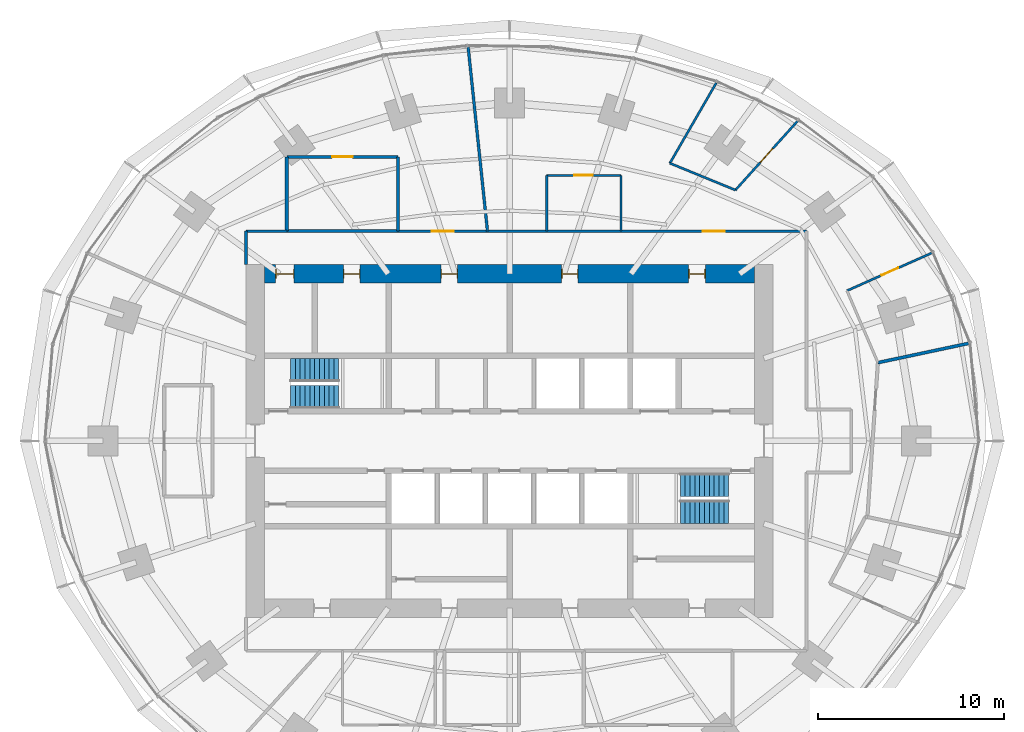
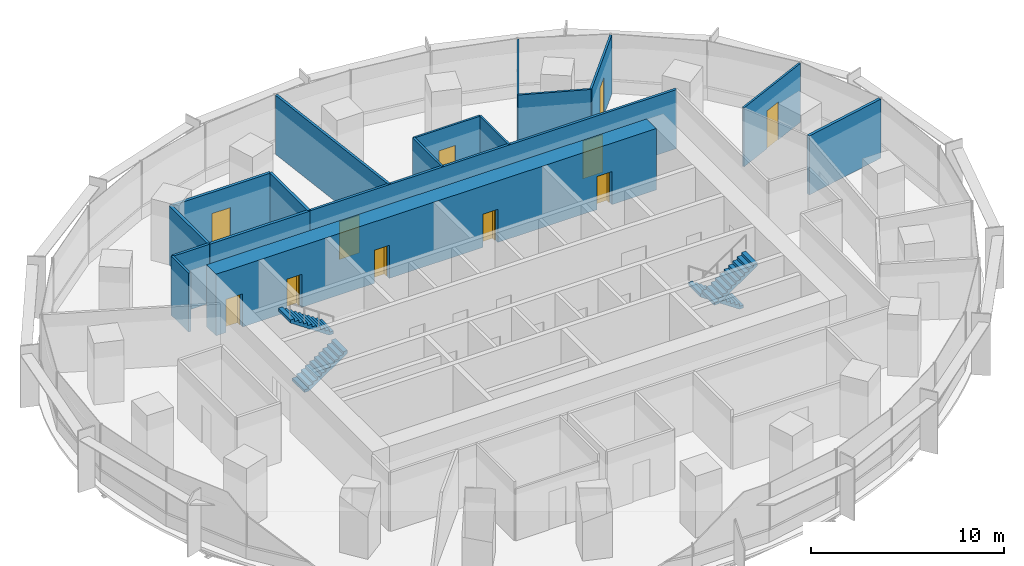
# One storey, part 12 of 14: 17 walls, 11 doors, 4 stair flights, 11 openings, 2 elements without a shape of their own.
"""IFC4 building model written with IfcOpenShell, lengths in metres."""

from ifc_helpers import new_model, si_unit, direction, frame, frame_2d, origin, place, context, subcontext, project, spatial, polyline, rectangle, outline, extrude, material, layer, layer_set, type_object, element, fill, aggregate, save


model = new_model("IFC4")

# Units and contexts
model_context = context("Model", 3, precision=1e-05, world=origin(), true_north=direction((0.0, 1.0)))
body_context = subcontext(model_context, "Body", "Model", "MODEL_VIEW")
ifc_project = project(units=[si_unit("LENGTHUNIT", "METRE"), si_unit("AREAUNIT", "SQUARE_METRE"), si_unit("VOLUMEUNIT", "CUBIC_METRE"), si_unit("PLANEANGLEUNIT", "RADIAN"), si_unit("MASSUNIT", "GRAM", prefix="KILO")], contexts=[model_context])

# Site, building, storey
site_placement = place(None, origin())
site = spatial("IfcSite", under=ifc_project, at=site_placement, CompositionType="ELEMENT")
building_placement = place(site_placement, origin())
building = spatial("IfcBuilding", under=site, at=building_placement, Name="Marramba Exchange Tower", CompositionType="ELEMENT")
storey_placement = place(building_placement, frame((0.0, 0.0, 131.39990234375)))
storey = spatial("IfcBuildingStorey", under=building, at=storey_placement, Name="L31", CompositionType="ELEMENT", Elevation=131.39990234375)

# Walls
ifc_material_1 = material(Name="Plasterboard on staggered double steel studs, acoustic insulation", Category="steel")
ifc_layer_1 = layer(ifc_material_1, 0.169921875)
ifc_layer_set_1 = layer_set([ifc_layer_1], Name="Acoustic partition 170")
wall_type_1 = type_object("IfcWallType", Name="Acoustic partition 170", PredefinedType="PARTITIONING", material=ifc_layer_set_1)
wall_1_placement = place(storey_placement, frame((24.73046875, 5.256591796875, 0.0), z_axis=(0.0, 0.0, 1.0), x_axis=(-0.978149046495, -0.207904888932, 0.0)))
element("IfcWall", 1, at=wall_1_placement, inside=storey, type_object=wall_type_1, Name="Acoustic partition L31 27", PredefinedType="PARTITIONING", context=body_context, shape_type="SweptSolid", body=[
    extrude(rectangle(XDim=5.000244140625, YDim=0.169921875, at=frame_2d((2.5, 0.0))), origin(), (0.0, 0.0, 1.0), 3.739990234375),
])
wall_2_placement = place(storey_placement, frame((-6.0, 11.300048828125, 0.0), z_axis=(0.0, 0.0, 1.0), x_axis=(0.0, 1.0, 0.0)))
element("IfcWall", 2, at=wall_2_placement, inside=storey, type_object=wall_type_1, Name="Acoustic partition L31 39", PredefinedType="PARTITIONING", context=body_context, shape_type="SweptSolid", body=[
    extrude(rectangle(XDim=4.0, YDim=0.169921875, at=frame_2d((2.0, 0.0))), origin(), (0.0, 0.0, 1.0), 3.739990234375),
])

# Wall, opening, door
wall_3_placement = place(storey_placement, frame((-6.0, 15.300048828125, 0.0), z_axis=(0.0, 0.0, 1.0), x_axis=(-1.0, 0.0, 0.0)))
wall_3 = element("IfcWall", 3, at=wall_3_placement, inside=storey, type_object=wall_type_1, Name="Acoustic partition L31 40", PredefinedType="PARTITIONING", context=body_context, shape_type="SweptSolid", body=[
    extrude(rectangle(XDim=6.0, YDim=0.169921875, at=frame_2d((3.0, 0.0))), origin(), (0.0, 0.0, 1.0), 3.739990234375),
])
opening_1_placement = place(wall_3_placement, frame((2.449951171875, 0.0, 0.0)))
opening_1 = element("IfcOpeningElement", 4, at=opening_1_placement, cuts=wall_3, Name="Opening D15", PredefinedType="OPENING", context=body_context, shape_type="SweptSolid", body=[
    extrude(rectangle(XDim=1.10009765625, YDim=2.39990234375, at=frame_2d((0.550048828125, 1.199951171875))), frame((0.0, 0.094970703125, 0.0), z_axis=(0.0, -1.0, 0.0), x_axis=(1.0, 0.0, 0.0)), (0.0, 0.0, 1.0), 0.18994140625),
])
ifc_material_2 = material(Name="Timber door", Category="wood")
door_type_1 = type_object("IfcDoorType", Name="Glazed meeting room door 1100x2400", OperationType="SINGLE_SWING_LEFT", PredefinedType="DOOR", material=ifc_material_2)
door_1_placement = place(opening_1_placement, origin())
door_1 = element("IfcDoor", 5, at=door_1_placement, inside=storey, type_object=door_type_1, Name="D15 Meeting Room 4 L31", OperationType="SINGLE_SWING_RIGHT", OverallHeight=2.39990234375, OverallWidth=1.10009765625, PredefinedType="DOOR", context=body_context, shape_type="SweptSolid", body=[
    extrude(rectangle(XDim=1.10009765625, YDim=2.39990234375, at=frame_2d((0.550048828125, 1.199951171875))), frame((0.0, 0.02490234375, 0.0), z_axis=(0.0, -1.0, 0.0), x_axis=(1.0, 0.0, 0.0)), (0.0, 0.0, 1.0), 0.050048828125),
])
fill(opening_1, door_1)

# Walls
wall_4_placement = place(storey_placement, frame((-12.0, 11.300048828125, 0.0), z_axis=(0.0, 0.0, 1.0), x_axis=(1.0, 0.0, 0.0)))
element("IfcWall", 6, at=wall_4_placement, inside=storey, type_object=wall_type_1, Name="Acoustic partition L31 41", PredefinedType="PARTITIONING", context=body_context, shape_type="SweptSolid", body=[
    extrude(rectangle(XDim=6.0, YDim=0.169921875, at=frame_2d((3.0, 0.0))), origin(), (0.0, 0.0, 1.0), 3.739990234375),
])
wall_5_placement = place(storey_placement, frame((-12.0, 15.300048828125, 0.0), z_axis=(0.0, 0.0, 1.0), x_axis=(0.0, -1.0, 0.0)))
element("IfcWall", 7, at=wall_5_placement, inside=storey, type_object=wall_type_1, Name="Acoustic partition L31 42", PredefinedType="PARTITIONING", context=body_context, shape_type="SweptSolid", body=[
    extrude(rectangle(XDim=4.0, YDim=0.169921875, at=frame_2d((2.0, 0.0))), origin(), (0.0, 0.0, 1.0), 3.739990234375),
])

# Wall, openings, doors
ifc_material_3 = material(Name="Concrete N50", Category="concrete")
ifc_layer_2 = layer(ifc_material_3, 1.0)
ifc_layer_set_2 = layer_set([ifc_layer_2], Name="Core wall 1000")
wall_type_2 = type_object("IfcWallType", Name="Core wall 1000", PredefinedType="SHEAR", material=ifc_layer_set_2)
wall_6_placement = place(storey_placement, frame((13.199951171875, 9.0, 0.0), z_axis=(0.0, 0.0, 1.0), x_axis=(-1.0, 0.0, 0.0)))
wall_6 = element("IfcWall", 8, at=wall_6_placement, inside=storey, type_object=wall_type_2, Name="Core wall N L31", PredefinedType="SHEAR", context=body_context, shape_type="SweptSolid", body=[
    extrude(rectangle(XDim=26.39990234375, YDim=1.0, at=frame_2d((13.199951171875, 0.0))), origin(), (0.0, 0.0, 1.0), 3.900146484375),
])
opening_2_placement = place(wall_6_placement, frame((2.64990234375, 0.0, 0.0)))
opening_2 = element("IfcOpeningElement", 9, at=opening_2_placement, cuts=wall_6, Name="Opening D5", PredefinedType="OPENING", context=body_context, shape_type="SweptSolid", body=[
    extrude(rectangle(XDim=0.89990234375, YDim=2.10009765625, at=frame_2d((0.449951171875, 1.050048828125))), frame((0.0, 0.510009765625, 0.0), z_axis=(0.0, -1.0, 0.0), x_axis=(1.0, 0.0, 0.0)), (0.0, 0.0, 1.0), 1.02001953125),
])
opening_3_placement = place(wall_6_placement, frame((9.5, 0.0, 0.0)))
opening_3 = element("IfcOpeningElement", 10, at=opening_3_placement, cuts=wall_6, Name="Opening D3", PredefinedType="OPENING", context=body_context, shape_type="SweptSolid", body=[
    extrude(rectangle(XDim=0.89990234375, YDim=2.10009765625, at=frame_2d((0.449951171875, 1.050048828125))), frame((0.0, 0.510009765625, 0.0), z_axis=(0.0, -1.0, 0.0), x_axis=(1.0, 0.0, 0.0)), (0.0, 0.0, 1.0), 1.02001953125),
])
opening_4_placement = place(wall_6_placement, frame((16.0, 0.0, 0.0)))
opening_4 = element("IfcOpeningElement", 11, at=opening_4_placement, cuts=wall_6, Name="Opening D3", PredefinedType="OPENING", context=body_context, shape_type="SweptSolid", body=[
    extrude(rectangle(XDim=0.89990234375, YDim=2.10009765625, at=frame_2d((0.449951171875, 1.050048828125))), frame((0.0, 0.510009765625, 0.0), z_axis=(0.0, -1.0, 0.0), x_axis=(1.0, 0.0, 0.0)), (0.0, 0.0, 1.0), 1.02001953125),
])
opening_5_placement = place(wall_6_placement, frame((21.25, 0.0, 0.0)))
opening_5 = element("IfcOpeningElement", 12, at=opening_5_placement, cuts=wall_6, Name="Opening D5", PredefinedType="OPENING", context=body_context, shape_type="SweptSolid", body=[
    extrude(rectangle(XDim=0.89990234375, YDim=2.10009765625, at=frame_2d((0.449951171875, 1.050048828125))), frame((0.0, 0.510009765625, 0.0), z_axis=(0.0, -1.0, 0.0), x_axis=(1.0, 0.0, 0.0)), (0.0, 0.0, 1.0), 1.02001953125),
])
opening_6_placement = place(wall_6_placement, frame((24.800048828125, 0.0, 0.0)))
opening_6 = element("IfcOpeningElement", 13, at=opening_6_placement, cuts=wall_6, Name="Opening D4", PredefinedType="OPENING", context=body_context, shape_type="SweptSolid", body=[
    extrude(rectangle(XDim=1.0, YDim=2.10009765625, at=frame_2d((0.5, 1.050048828125))), frame((0.0, 0.510009765625, 0.0), z_axis=(0.0, -1.0, 0.0), x_axis=(1.0, 0.0, 0.0)), (0.0, 0.0, 1.0), 1.02001953125),
])
ifc_material_4 = material(Name="Steel-framed door", Category="steel")
door_type_2 = type_object("IfcDoorType", Name="Accessible toilet door 1000x2100", OperationType="SINGLE_SWING_LEFT", PredefinedType="DOOR", material=ifc_material_4)
door_2_placement = place(opening_6_placement, origin())
door_2 = element("IfcDoor", 14, at=door_2_placement, inside=storey, type_object=door_type_2, Name="D4 awc L31", OperationType="SINGLE_SWING_RIGHT", OverallHeight=2.10009765625, OverallWidth=1.0, PredefinedType="DOOR", context=body_context, shape_type="SweptSolid", body=[
    extrude(rectangle(XDim=0.919921875, YDim=2.06005859375, at=frame_2d((0.5, 1.030029296875))), frame((0.0, 0.02490234375, 0.0), z_axis=(0.0, -1.0, 0.0), x_axis=(1.0, 0.0, 0.0)), (0.0, 0.0, 1.0), 0.050048828125),
    extrude(rectangle(XDim=0.04, YDim=2.10009765625, at=frame_2d((0.02001953125, 1.050048828125))), frame((0.0, 0.25, 0.0), z_axis=(0.0, -1.0, 0.0), x_axis=(1.0, 0.0, 0.0)), (0.0, 0.0, 1.0), 0.5),
    extrude(rectangle(XDim=0.04, YDim=2.10009765625, at=frame_2d((0.97998046875, 1.050048828125))), frame((0.0, 0.25, 0.0), z_axis=(0.0, -1.0, 0.0), x_axis=(1.0, 0.0, 0.0)), (0.0, 0.0, 1.0), 0.5),
    extrude(rectangle(XDim=0.919921875, YDim=0.04, at=frame_2d((0.5, 2.080078125))), frame((0.0, 0.25, 0.0), z_axis=(0.0, -1.0, 0.0), x_axis=(1.0, 0.0, 0.0)), (0.0, 0.0, 1.0), 0.5),
])
fill(opening_6, door_2)
door_type_3 = type_object("IfcDoorType", Name="Service door 900x2100", OperationType="SINGLE_SWING_LEFT", PredefinedType="DOOR", material=ifc_material_4)
door_3_placement = place(opening_2_placement, origin())
door_3 = element("IfcDoor", 15, at=door_3_placement, inside=storey, type_object=door_type_3, Name="D5 comms L31", OperationType="SINGLE_SWING_LEFT", OverallHeight=2.10009765625, OverallWidth=0.89990234375, PredefinedType="DOOR", context=body_context, shape_type="SweptSolid", body=[
    extrude(rectangle(XDim=0.81982421875, YDim=2.06005859375, at=frame_2d((0.449951171875, 1.030029296875))), frame((0.0, 0.02490234375, 0.0), z_axis=(0.0, -1.0, 0.0), x_axis=(1.0, 0.0, 0.0)), (0.0, 0.0, 1.0), 0.050048828125),
    extrude(rectangle(XDim=0.04, YDim=2.10009765625, at=frame_2d((0.02001953125, 1.050048828125))), frame((0.0, 0.25, 0.0), z_axis=(0.0, -1.0, 0.0), x_axis=(1.0, 0.0, 0.0)), (0.0, 0.0, 1.0), 0.5),
    extrude(rectangle(XDim=0.04, YDim=2.10009765625, at=frame_2d((0.8798828125, 1.050048828125))), frame((0.0, 0.25, 0.0), z_axis=(0.0, -1.0, 0.0), x_axis=(1.0, 0.0, 0.0)), (0.0, 0.0, 1.0), 0.5),
    extrude(rectangle(XDim=0.81982421875, YDim=0.04, at=frame_2d((0.449951171875, 2.080078125))), frame((0.0, 0.25, 0.0), z_axis=(0.0, -1.0, 0.0), x_axis=(1.0, 0.0, 0.0)), (0.0, 0.0, 1.0), 0.5),
])
fill(opening_2, door_3)
door_4_placement = place(opening_5_placement, origin())
door_4 = element("IfcDoor", 16, at=door_4_placement, inside=storey, type_object=door_type_3, Name="D5 cleaner L31", OperationType="SINGLE_SWING_RIGHT", OverallHeight=2.10009765625, OverallWidth=0.89990234375, PredefinedType="DOOR", context=body_context, shape_type="SweptSolid", body=[
    extrude(rectangle(XDim=0.81982421875, YDim=2.06005859375, at=frame_2d((0.449951171875, 1.030029296875))), frame((0.0, 0.02490234375, 0.0), z_axis=(0.0, -1.0, 0.0), x_axis=(1.0, 0.0, 0.0)), (0.0, 0.0, 1.0), 0.050048828125),
    extrude(rectangle(XDim=0.04, YDim=2.10009765625, at=frame_2d((0.02001953125, 1.050048828125))), frame((0.0, 0.25, 0.0), z_axis=(0.0, -1.0, 0.0), x_axis=(1.0, 0.0, 0.0)), (0.0, 0.0, 1.0), 0.5),
    extrude(rectangle(XDim=0.04, YDim=2.10009765625, at=frame_2d((0.8798828125, 1.050048828125))), frame((0.0, 0.25, 0.0), z_axis=(0.0, -1.0, 0.0), x_axis=(1.0, 0.0, 0.0)), (0.0, 0.0, 1.0), 0.5),
    extrude(rectangle(XDim=0.81982421875, YDim=0.04, at=frame_2d((0.449951171875, 2.080078125))), frame((0.0, 0.25, 0.0), z_axis=(0.0, -1.0, 0.0), x_axis=(1.0, 0.0, 0.0)), (0.0, 0.0, 1.0), 0.5),
])
fill(opening_5, door_4)
door_type_4 = type_object("IfcDoorType", Name="Toilet door 900x2100", OperationType="SINGLE_SWING_LEFT", PredefinedType="DOOR", material=ifc_material_4)
door_5_placement = place(opening_3_placement, origin())
door_5 = element("IfcDoor", 17, at=door_5_placement, inside=storey, type_object=door_type_4, Name="D3 wc-f L31", OperationType="SINGLE_SWING_RIGHT", OverallHeight=2.10009765625, OverallWidth=0.89990234375, PredefinedType="DOOR", context=body_context, shape_type="SweptSolid", body=[
    extrude(rectangle(XDim=0.81982421875, YDim=2.06005859375, at=frame_2d((0.449951171875, 1.030029296875))), frame((0.0, 0.02490234375, 0.0), z_axis=(0.0, -1.0, 0.0), x_axis=(1.0, 0.0, 0.0)), (0.0, 0.0, 1.0), 0.050048828125),
    extrude(rectangle(XDim=0.04, YDim=2.10009765625, at=frame_2d((0.02001953125, 1.050048828125))), frame((0.0, 0.25, 0.0), z_axis=(0.0, -1.0, 0.0), x_axis=(1.0, 0.0, 0.0)), (0.0, 0.0, 1.0), 0.5),
    extrude(rectangle(XDim=0.04, YDim=2.10009765625, at=frame_2d((0.8798828125, 1.050048828125))), frame((0.0, 0.25, 0.0), z_axis=(0.0, -1.0, 0.0), x_axis=(1.0, 0.0, 0.0)), (0.0, 0.0, 1.0), 0.5),
    extrude(rectangle(XDim=0.81982421875, YDim=0.04, at=frame_2d((0.449951171875, 2.080078125))), frame((0.0, 0.25, 0.0), z_axis=(0.0, -1.0, 0.0), x_axis=(1.0, 0.0, 0.0)), (0.0, 0.0, 1.0), 0.5),
])
fill(opening_3, door_5)
door_6_placement = place(opening_4_placement, origin())
door_6 = element("IfcDoor", 18, at=door_6_placement, inside=storey, type_object=door_type_4, Name="D3 wc-m L31", OperationType="SINGLE_SWING_RIGHT", OverallHeight=2.10009765625, OverallWidth=0.89990234375, PredefinedType="DOOR", context=body_context, shape_type="SweptSolid", body=[
    extrude(rectangle(XDim=0.81982421875, YDim=2.06005859375, at=frame_2d((0.449951171875, 1.030029296875))), frame((0.0, 0.02490234375, 0.0), z_axis=(0.0, -1.0, 0.0), x_axis=(1.0, 0.0, 0.0)), (0.0, 0.0, 1.0), 0.050048828125),
    extrude(rectangle(XDim=0.04, YDim=2.10009765625, at=frame_2d((0.02001953125, 1.050048828125))), frame((0.0, 0.25, 0.0), z_axis=(0.0, -1.0, 0.0), x_axis=(1.0, 0.0, 0.0)), (0.0, 0.0, 1.0), 0.5),
    extrude(rectangle(XDim=0.04, YDim=2.10009765625, at=frame_2d((0.8798828125, 1.050048828125))), frame((0.0, 0.25, 0.0), z_axis=(0.0, -1.0, 0.0), x_axis=(1.0, 0.0, 0.0)), (0.0, 0.0, 1.0), 0.5),
    extrude(rectangle(XDim=0.81982421875, YDim=0.04, at=frame_2d((0.449951171875, 2.080078125))), frame((0.0, 0.25, 0.0), z_axis=(0.0, -1.0, 0.0), x_axis=(1.0, 0.0, 0.0)), (0.0, 0.0, 1.0), 0.5),
])
fill(opening_4, door_6)

# Wall, opening, door
ifc_material_5 = material(Name="Plasterboard on steel studs", Category="steel")
ifc_layer_3 = layer(ifc_material_5, 0.1201171875)
ifc_layer_set_3 = layer_set([ifc_layer_3], Name="Partition 120")
wall_type_3 = type_object("IfcWallType", Name="Partition 120", PredefinedType="PARTITIONING", material=ifc_layer_set_3)
wall_7_placement = place(storey_placement, frame((22.7421875, 10.12548828125, 0.0), z_axis=(0.0, 0.0, 1.0), x_axis=(-0.913541529049, -0.406745466726, 0.0)))
wall_7 = element("IfcWall", 19, at=wall_7_placement, inside=storey, type_object=wall_type_3, Name="Partition L31 30", PredefinedType="PARTITIONING", context=body_context, shape_type="SweptSolid", body=[
    extrude(rectangle(XDim=5.0, YDim=0.1201171875, at=frame_2d((2.5, 0.0))), origin(), (0.0, 0.0, 1.0), 3.739990234375),
])
opening_7_placement = place(wall_7_placement, frame((1.97509765625, 0.0, 0.0)))
opening_7 = element("IfcOpeningElement", 20, at=opening_7_placement, cuts=wall_7, Name="Opening D9", PredefinedType="OPENING", context=body_context, shape_type="SweptSolid", body=[
    extrude(rectangle(XDim=1.0, YDim=2.39990234375, at=frame_2d((0.5, 1.199951171875))), frame((0.0, 0.070068359375, 0.0), z_axis=(0.0, -1.0, 0.0), x_axis=(1.0, 0.0, 0.0)), (0.0, 0.0, 1.0), 0.14013671875),
])
door_type_5 = type_object("IfcDoorType", Name="Room door 1000x2400", OperationType="SINGLE_SWING_LEFT", PredefinedType="DOOR", material=ifc_material_2)
door_7_placement = place(opening_7_placement, origin())
door_7 = element("IfcDoor", 21, at=door_7_placement, inside=storey, type_object=door_type_5, Name="D9 Office 1 L31", OperationType="SINGLE_SWING_RIGHT", OverallHeight=2.39990234375, OverallWidth=1.0, PredefinedType="DOOR", context=body_context, shape_type="SweptSolid", body=[
    extrude(rectangle(XDim=1.0, YDim=2.39990234375, at=frame_2d((0.5, 1.199951171875))), frame((0.0, 0.02490234375, 0.0), z_axis=(0.0, -1.0, 0.0), x_axis=(1.0, 0.0, 0.0)), (0.0, 0.0, 1.0), 0.050048828125),
])
fill(opening_7, door_7)

wall_8_placement = place(storey_placement, frame((12.166748046875, 13.512451171875, 0.0), z_axis=(0.0, 0.0, 1.0), x_axis=(0.669126573551, 0.743148456614, 0.0)))
wall_8 = element("IfcWall", 22, at=wall_8_placement, inside=storey, type_object=wall_type_3, Name="Partition L31 31", PredefinedType="PARTITIONING", context=body_context, shape_type="SweptSolid", body=[
    extrude(rectangle(XDim=5.0, YDim=0.1201171875, at=frame_2d((2.5, 0.0))), origin(), (0.0, 0.0, 1.0), 3.739990234375),
])
opening_8_placement = place(wall_8_placement, frame((2.0, 0.0, 0.0)))
opening_8 = element("IfcOpeningElement", 23, at=opening_8_placement, cuts=wall_8, Name="Opening D9", PredefinedType="OPENING", context=body_context, shape_type="SweptSolid", body=[
    extrude(rectangle(XDim=1.0, YDim=2.39990234375, at=frame_2d((0.5, 1.199951171875))), frame((0.0, 0.070068359375, 0.0), z_axis=(0.0, -1.0, 0.0), x_axis=(1.0, 0.0, 0.0)), (0.0, 0.0, 1.0), 0.14013671875),
])
door_8_placement = place(opening_8_placement, origin())
door_8 = element("IfcDoor", 24, at=door_8_placement, inside=storey, type_object=door_type_5, Name="D9 Office 2 L31", OperationType="SINGLE_SWING_RIGHT", OverallHeight=2.39990234375, OverallWidth=1.0, PredefinedType="DOOR", context=body_context, shape_type="SweptSolid", body=[
    extrude(rectangle(XDim=1.0, YDim=2.39990234375, at=frame_2d((0.5, 1.199951171875))), frame((0.0, 0.02490234375, 0.0), z_axis=(0.0, -1.0, 0.0), x_axis=(1.0, 0.0, 0.0)), (0.0, 0.0, 1.0), 0.050048828125),
])
fill(opening_8, door_8)

# Walls
wall_9_placement = place(storey_placement, frame((8.63671875, 14.958984375, 0.0), z_axis=(0.0, 0.0, 1.0), x_axis=(0.925323544258, -0.379178504719, 0.0)))
element("IfcWall", 25, at=wall_9_placement, inside=storey, type_object=wall_type_3, Name="Partition L31 32", PredefinedType="PARTITIONING", context=body_context, shape_type="SweptSolid", body=[
    extrude(rectangle(XDim=3.81494140625, YDim=0.1201171875, at=frame_2d((1.907470703125, 0.0))), origin(), (0.0, 0.0, 1.0), 3.739990234375),
])
wall_10_placement = place(storey_placement, frame((11.13671875, 19.289306640625, 0.0), z_axis=(0.0, 0.0, 1.0), x_axis=(-0.499983091616, -0.866035165624, 0.0)))
element("IfcWall", 26, at=wall_10_placement, inside=storey, type_object=wall_type_3, Name="Partition L31 33", PredefinedType="PARTITIONING", context=body_context, shape_type="SweptSolid", body=[
    extrude(rectangle(XDim=5.000244140625, YDim=0.1201171875, at=frame_2d((2.5, 0.0))), origin(), (0.0, 0.0, 1.0), 3.739990234375),
])
wall_11_placement = place(storey_placement, frame((6.0, 11.300048828125, 0.0), z_axis=(0.0, 0.0, 1.0), x_axis=(0.0, 1.0, 0.0)))
element("IfcWall", 27, at=wall_11_placement, inside=storey, type_object=wall_type_3, Name="Partition L31 34", PredefinedType="PARTITIONING", context=body_context, shape_type="SweptSolid", body=[
    extrude(rectangle(XDim=3.0, YDim=0.1201171875, at=frame_2d((1.5, 0.0))), origin(), (0.0, 0.0, 1.0), 3.739990234375),
])

# Wall, opening, door
wall_12_placement = place(storey_placement, frame((6.0, 14.300048828125, 0.0), z_axis=(0.0, 0.0, 1.0), x_axis=(-1.0, 0.0, 0.0)))
wall_12 = element("IfcWall", 28, at=wall_12_placement, inside=storey, type_object=wall_type_3, Name="Partition L31 36", PredefinedType="PARTITIONING", context=body_context, shape_type="SweptSolid", body=[
    extrude(rectangle(XDim=4.0, YDim=0.1201171875, at=frame_2d((2.0, 0.0))), origin(), (0.0, 0.0, 1.0), 3.739990234375),
])
opening_9_placement = place(wall_12_placement, frame((1.52587890625, 0.0, 0.0)))
opening_9 = element("IfcOpeningElement", 29, at=opening_9_placement, cuts=wall_12, Name="Opening D9", PredefinedType="OPENING", context=body_context, shape_type="SweptSolid", body=[
    extrude(rectangle(XDim=1.0, YDim=2.39990234375, at=frame_2d((0.5, 1.199951171875))), frame((0.0, 0.070068359375, 0.0), z_axis=(0.0, -1.0, 0.0), x_axis=(1.0, 0.0, 0.0)), (0.0, 0.0, 1.0), 0.14013671875),
])
door_9_placement = place(opening_9_placement, origin())
door_9 = element("IfcDoor", 30, at=door_9_placement, inside=storey, type_object=door_type_5, Name="D9 Tea Point L31", OperationType="SINGLE_SWING_RIGHT", OverallHeight=2.39990234375, OverallWidth=1.0, PredefinedType="DOOR", context=body_context, shape_type="SweptSolid", body=[
    extrude(rectangle(XDim=1.0, YDim=2.39990234375, at=frame_2d((0.5, 1.199951171875))), frame((0.0, 0.02490234375, 0.0), z_axis=(0.0, -1.0, 0.0), x_axis=(1.0, 0.0, 0.0)), (0.0, 0.0, 1.0), 0.050048828125),
])
fill(opening_9, door_9)

# Wall
wall_13_placement = place(storey_placement, frame((2.0, 14.300048828125, 0.0), z_axis=(0.0, 0.0, 1.0), x_axis=(0.0, -1.0, 0.0)))
element("IfcWall", 31, at=wall_13_placement, inside=storey, type_object=wall_type_3, Name="Partition L31 37", PredefinedType="PARTITIONING", context=body_context, shape_type="SweptSolid", body=[
    extrude(rectangle(XDim=3.0, YDim=0.1201171875, at=frame_2d((1.5, 0.0))), origin(), (0.0, 0.0, 1.0), 3.739990234375),
])

# Wall, openings, doors
ifc_material_6 = material(Name="Fire-rated plasterboard on steel studs, acoustic insulation", Category="steel")
ifc_layer_4 = layer(ifc_material_6, 0.14990234375)
ifc_layer_set_4 = layer_set([ifc_layer_4], Name="Tenancy wall 150")
wall_type_4 = type_object("IfcWallType", Name="Tenancy wall 150", PredefinedType="PARTITIONING", material=ifc_layer_set_4)
wall_14_placement = place(storey_placement, frame((16.0, 11.300048828125, 0.0), z_axis=(0.0, 0.0, 1.0), x_axis=(-1.0, 0.0, 0.0)))
wall_14 = element("IfcWall", 32, at=wall_14_placement, inside=storey, type_object=wall_type_4, Name="Tenancy wall L31 35", PredefinedType="PARTITIONING", context=body_context, shape_type="SweptSolid", body=[
    extrude(rectangle(XDim=22.0, YDim=0.14990234375, at=frame_2d((11.0, 0.0))), origin(), (0.0, 0.0, 1.0), 3.739990234375),
])
opening_10_placement = place(wall_14_placement, frame((4.39990234375, 0.0, 0.0)))
opening_10 = element("IfcOpeningElement", 33, at=opening_10_placement, cuts=wall_14, Name="Opening D13", PredefinedType="OPENING", context=body_context, shape_type="SweptSolid", body=[
    extrude(rectangle(XDim=1.199951171875, YDim=2.39990234375, at=frame_2d((0.60009765625, 1.199951171875))), frame((0.0, 0.0849609375, 0.0), z_axis=(0.0, -1.0, 0.0), x_axis=(1.0, 0.0, 0.0)), (0.0, 0.0, 1.0), 0.169921875),
])
opening_11_placement = place(wall_14_placement, frame((18.993896484375, 0.0, 0.0)))
opening_11 = element("IfcOpeningElement", 34, at=opening_11_placement, cuts=wall_14, Name="Opening D13", PredefinedType="OPENING", context=body_context, shape_type="SweptSolid", body=[
    extrude(rectangle(XDim=1.199951171875, YDim=2.39990234375, at=frame_2d((0.60009765625, 1.199951171875))), frame((0.0, 0.0849609375, 0.0), z_axis=(0.0, -1.0, 0.0), x_axis=(1.0, 0.0, 0.0)), (0.0, 0.0, 1.0), 0.169921875),
])
door_type_6 = type_object("IfcDoorType", Name="Tenancy entry door 1200x2400", OperationType="SINGLE_SWING_LEFT", PredefinedType="DOOR", material=ifc_material_4)
door_10_placement = place(opening_10_placement, origin())
door_10 = element("IfcDoor", 35, at=door_10_placement, inside=storey, type_object=door_type_6, Name="D13 Office 1 L31", OperationType="SINGLE_SWING_LEFT", OverallHeight=2.39990234375, OverallWidth=1.199951171875, PredefinedType="DOOR", context=body_context, shape_type="SweptSolid", body=[
    extrude(rectangle(XDim=1.199951171875, YDim=2.39990234375, at=frame_2d((0.60009765625, 1.199951171875))), frame((0.0, 0.02490234375, 0.0), z_axis=(0.0, -1.0, 0.0), x_axis=(1.0, 0.0, 0.0)), (0.0, 0.0, 1.0), 0.050048828125),
])
fill(opening_10, door_10)
door_11_placement = place(opening_11_placement, origin())
door_11 = element("IfcDoor", 36, at=door_11_placement, inside=storey, type_object=door_type_6, Name="D13 Office 2 L31", OperationType="SINGLE_SWING_RIGHT", OverallHeight=2.39990234375, OverallWidth=1.199951171875, PredefinedType="DOOR", context=body_context, shape_type="SweptSolid", body=[
    extrude(rectangle(XDim=1.199951171875, YDim=2.39990234375, at=frame_2d((0.60009765625, 1.199951171875))), frame((0.0, 0.02490234375, 0.0), z_axis=(0.0, -1.0, 0.0), x_axis=(1.0, 0.0, 0.0)), (0.0, 0.0, 1.0), 0.050048828125),
])
fill(opening_11, door_11)

# Walls
wall_15_placement = place(storey_placement, frame((-1.187744140625, 11.300048828125, 0.0), z_axis=(0.0, 0.0, 1.0), x_axis=(-0.104522843542, 0.994522486009, 0.0)))
element("IfcWall", 37, at=wall_15_placement, inside=storey, type_object=wall_type_4, Name="Tenancy wall L31 38", PredefinedType="PARTITIONING", context=body_context, shape_type="SweptSolid", body=[
    extrude(rectangle(XDim=9.966796875, YDim=0.14990234375, at=frame_2d((4.9833984375, 0.0))), origin(), (0.0, 0.0, 1.0), 3.739990234375),
])
wall_16_placement = place(storey_placement, frame((-12.0, 11.300048828125, 0.0), z_axis=(0.0, 0.0, 1.0), x_axis=(-1.0, 0.0, 0.0)))
element("IfcWall", 38, at=wall_16_placement, inside=storey, type_object=wall_type_4, Name="Tenancy wall L31 43", PredefinedType="PARTITIONING", context=body_context, shape_type="SweptSolid", body=[
    extrude(rectangle(XDim=2.199951171875, YDim=0.14990234375, at=frame_2d((1.10009765625, 0.0))), origin(), (0.0, 0.0, 1.0), 3.739990234375),
])
wall_17_placement = place(storey_placement, frame((-14.199951171875, 11.300048828125, 0.0), z_axis=(0.0, 0.0, 1.0), x_axis=(0.0, -1.0, 0.0)))
element("IfcWall", 39, at=wall_17_placement, inside=storey, type_object=wall_type_4, Name="Tenancy wall L31 44", PredefinedType="PARTITIONING", context=body_context, shape_type="SweptSolid", body=[
    extrude(rectangle(XDim=1.800048828125, YDim=0.14990234375, at=frame_2d((0.89990234375, 0.0))), origin(), (0.0, 0.0, 1.0), 3.739990234375),
])

# Stair, stair flights
ifc_material_7 = material(Name="Concrete N40 (40 MPa)", Category="concrete")
stair_type_1 = type_object("IfcStairType", Name="Exit stair ST1 3900 x 1250", PredefinedType="HALF_TURN_STAIR", material=ifc_material_7)
stair_1_placement = place(storey_placement, origin())
stair_1 = element("IfcStair", 40, at=stair_1_placement, inside=storey, type_object=stair_type_1, Name="Exit stair ST1 L31", PredefinedType="HALF_TURN_STAIR")
stair_flight_type_1 = type_object("IfcStairFlightType", Name="ST1 stair flight 1773 riser 1250 wide", PredefinedType="STRAIGHT", material=ifc_material_7)
stair_flight_1_placement = place(storey_placement, frame((-11.800048828125, 2.375, 0.0), z_axis=(0.0, 0.0, 1.0), x_axis=(1.0, 0.0, 0.0)))
stair_flight_1 = element("IfcStairFlight", 41, at=stair_flight_1_placement, type_object=stair_flight_type_1, Name="ST1 flight 1", NumberOfRisers=11, NumberOfTreads=10, PredefinedType="STRAIGHT", RiserHeight=0.177272727, TreadLength=0.26, context=body_context, shape_type="SweptSolid", body=[
    extrude(outline(polyline([(0.0, 0.0), (0.0, 0.17724609375), (0.260009765625, 0.17724609375), (0.260009765625, 0.3544921875), (0.52001953125, 0.3544921875), (0.52001953125, 0.53173828125), (0.780029296875, 0.53173828125), (0.780029296875, 0.708984375), (1.0400390625, 0.708984375), (1.0400390625, 0.886474609375), (1.300048828125, 0.886474609375), (1.300048828125, 1.063720703125), (1.56005859375, 1.063720703125), (1.56005859375, 1.240966796875), (1.820068359375, 1.240966796875), (1.820068359375, 1.418212890625), (2.080078125, 1.418212890625), (2.080078125, 1.595458984375), (2.340087890625, 1.595458984375), (2.340087890625, 1.772705078125), (2.60009765625, 1.772705078125), (2.60009765625, 1.949951171875), (2.60009765625, 1.59130859375), (0.26611328125, 0.0), (0.0, 0.0)])), frame((0.0, 0.625, 0.0), z_axis=(0.0, -1.0, 0.0), x_axis=(1.0, 0.0, 0.0)), (0.0, 0.0, 1.0), 1.25),
])
stair_flight_2_placement = place(storey_placement, frame((-9.199951171875, 3.824951171875, 1.9501953125), z_axis=(0.0, 0.0, 1.0), x_axis=(-1.0, 0.0, 0.0)))
stair_flight_2 = element("IfcStairFlight", 42, at=stair_flight_2_placement, type_object=stair_flight_type_1, Name="ST1 flight 2", NumberOfRisers=11, NumberOfTreads=10, PredefinedType="STRAIGHT", RiserHeight=0.177272727, TreadLength=0.26, context=body_context, shape_type="SweptSolid", body=[
    extrude(outline(polyline([(0.0, 0.0), (0.0, 0.17724609375), (0.260009765625, 0.17724609375), (0.260009765625, 0.3544921875), (0.52001953125, 0.3544921875), (0.52001953125, 0.53173828125), (0.780029296875, 0.53173828125), (0.780029296875, 0.708984375), (1.0400390625, 0.708984375), (1.0400390625, 0.886474609375), (1.300048828125, 0.886474609375), (1.300048828125, 1.063720703125), (1.56005859375, 1.063720703125), (1.56005859375, 1.240966796875), (1.820068359375, 1.240966796875), (1.820068359375, 1.418212890625), (2.080078125, 1.418212890625), (2.080078125, 1.595458984375), (2.340087890625, 1.595458984375), (2.340087890625, 1.772705078125), (2.60009765625, 1.772705078125), (2.60009765625, 1.949951171875), (2.60009765625, 1.59130859375), (0.26611328125, 0.0), (0.0, 0.0)])), frame((0.0, 0.625, 0.0), z_axis=(0.0, -1.0, 0.0), x_axis=(1.0, 0.0, 0.0)), (0.0, 0.0, 1.0), 1.25),
])
aggregate(stair_1, [stair_flight_1, stair_flight_2])

stair_type_2 = type_object("IfcStairType", Name="Exit stair ST2 3900 x 1250", PredefinedType="HALF_TURN_STAIR", material=ifc_material_7)
stair_2_placement = place(storey_placement, origin())
stair_2 = element("IfcStair", 43, at=stair_2_placement, inside=storey, type_object=stair_type_2, Name="Exit stair ST2 L31", PredefinedType="HALF_TURN_STAIR")
stair_flight_type_2 = type_object("IfcStairFlightType", Name="ST2 stair flight 1773 riser 1250 wide", PredefinedType="STRAIGHT", material=ifc_material_7)
stair_flight_3_placement = place(storey_placement, frame((11.800048828125, -2.375, 0.0), z_axis=(0.0, 0.0, 1.0), x_axis=(-1.0, 0.0, 0.0)))
stair_flight_3 = element("IfcStairFlight", 44, at=stair_flight_3_placement, type_object=stair_flight_type_2, Name="ST2 flight 1", NumberOfRisers=11, NumberOfTreads=10, PredefinedType="STRAIGHT", RiserHeight=0.177272727, TreadLength=0.26, context=body_context, shape_type="SweptSolid", body=[
    extrude(outline(polyline([(0.0, 0.0), (0.0, 0.17724609375), (0.260009765625, 0.17724609375), (0.260009765625, 0.3544921875), (0.52001953125, 0.3544921875), (0.52001953125, 0.53173828125), (0.780029296875, 0.53173828125), (0.780029296875, 0.708984375), (1.0400390625, 0.708984375), (1.0400390625, 0.886474609375), (1.300048828125, 0.886474609375), (1.300048828125, 1.063720703125), (1.56005859375, 1.063720703125), (1.56005859375, 1.240966796875), (1.820068359375, 1.240966796875), (1.820068359375, 1.418212890625), (2.080078125, 1.418212890625), (2.080078125, 1.595458984375), (2.340087890625, 1.595458984375), (2.340087890625, 1.772705078125), (2.60009765625, 1.772705078125), (2.60009765625, 1.949951171875), (2.60009765625, 1.59130859375), (0.26611328125, 0.0), (0.0, 0.0)])), frame((0.0, 0.625, 0.0), z_axis=(0.0, -1.0, 0.0), x_axis=(1.0, 0.0, 0.0)), (0.0, 0.0, 1.0), 1.25),
])
stair_flight_4_placement = place(storey_placement, frame((9.199951171875, -3.824951171875, 1.9501953125), z_axis=(0.0, 0.0, 1.0), x_axis=(1.0, 0.0, 0.0)))
stair_flight_4 = element("IfcStairFlight", 45, at=stair_flight_4_placement, type_object=stair_flight_type_2, Name="ST2 flight 2", NumberOfRisers=11, NumberOfTreads=10, PredefinedType="STRAIGHT", RiserHeight=0.177272727, TreadLength=0.26, context=body_context, shape_type="SweptSolid", body=[
    extrude(outline(polyline([(0.0, 0.0), (0.0, 0.17724609375), (0.260009765625, 0.17724609375), (0.260009765625, 0.3544921875), (0.52001953125, 0.3544921875), (0.52001953125, 0.53173828125), (0.780029296875, 0.53173828125), (0.780029296875, 0.708984375), (1.0400390625, 0.708984375), (1.0400390625, 0.886474609375), (1.300048828125, 0.886474609375), (1.300048828125, 1.063720703125), (1.56005859375, 1.063720703125), (1.56005859375, 1.240966796875), (1.820068359375, 1.240966796875), (1.820068359375, 1.418212890625), (2.080078125, 1.418212890625), (2.080078125, 1.595458984375), (2.340087890625, 1.595458984375), (2.340087890625, 1.772705078125), (2.60009765625, 1.772705078125), (2.60009765625, 1.949951171875), (2.60009765625, 1.59130859375), (0.26611328125, 0.0), (0.0, 0.0)])), frame((0.0, 0.625, 0.0), z_axis=(0.0, -1.0, 0.0), x_axis=(1.0, 0.0, 0.0)), (0.0, 0.0, 1.0), 1.25),
])
aggregate(stair_2, [stair_flight_3, stair_flight_4])

save(model, "model.ifc")
